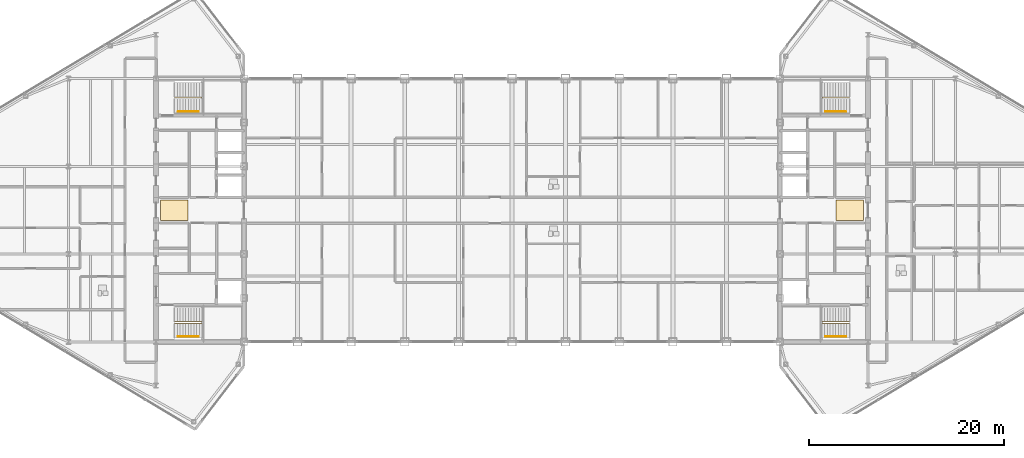
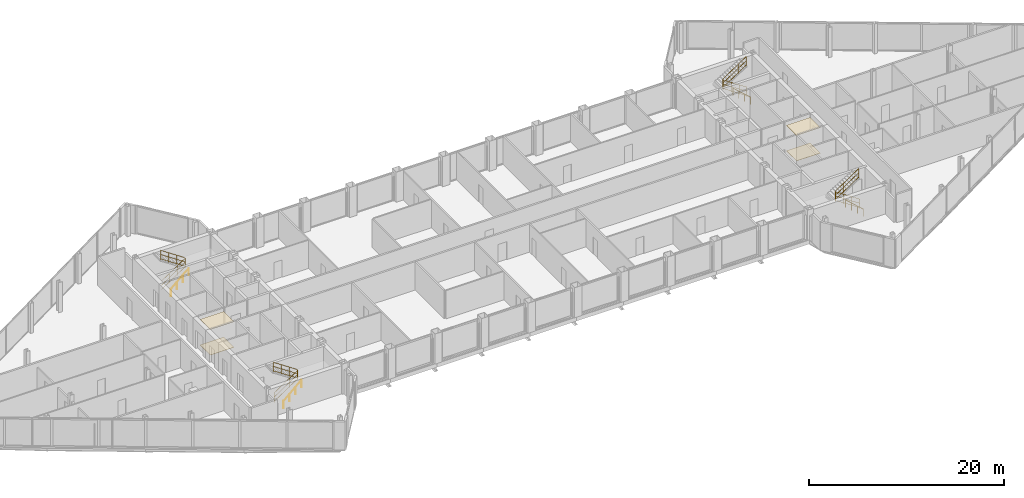
# One storey, part 28 of 29: 8 railings, 4 coverings.
"""IFC4 building model written with IfcOpenShell, lengths in metres."""

from ifc_helpers import new_model, si_unit, direction, frame, origin, origin_2d, place, context, subcontext, project, spatial, polyline, circle, outline, extrude, material, layer, layer_set, type_object, element, save


model = new_model("IFC4")

# Units and contexts
model_context = context("Model", 3, precision=1e-05, world=origin(), true_north=direction((0.0, 1.0)))
body_context = subcontext(model_context, "Body", "Model", "MODEL_VIEW")
ifc_project = project(units=[si_unit("LENGTHUNIT", "METRE"), si_unit("AREAUNIT", "SQUARE_METRE"), si_unit("VOLUMEUNIT", "CUBIC_METRE"), si_unit("PLANEANGLEUNIT", "RADIAN"), si_unit("MASSUNIT", "GRAM", prefix="KILO")], contexts=[model_context])

# Site, building, storey
site_placement = place(None, origin())
site = spatial("IfcSite", under=ifc_project, at=site_placement, CompositionType="ELEMENT")
building_placement = place(site_placement, origin())
building = spatial("IfcBuilding", under=site, at=building_placement, Name="Seokmaru Belvedere", CompositionType="ELEMENT")
storey_placement = place(building_placement, frame((0.0, 0.0, 254.39990234375)))
storey = spatial("IfcBuildingStorey", under=building, at=storey_placement, Name="L67", CompositionType="ELEMENT", Elevation=254.39990234375)

# Coverings
ifc_material_1 = material(Name="Engineered White Oak Timber", Category="wood")
ifc_layer_1 = layer(ifc_material_1, 0.02197265625)
ifc_layer_set_1 = layer_set([ifc_layer_1], Name="Engineered White Oak Timber")
covering_type_1 = type_object("IfcCoveringType", Name="Engineered Oak Residence Floor Finish 22", PredefinedType="FLOORING", material=ifc_layer_set_1)
covering_1_placement = place(storey_placement, origin())
element("IfcCovering", 1, at=covering_1_placement, inside=storey, type_object=covering_type_1, Name="L67 W Foyer Floor Finish", PredefinedType="FLOORING", context=body_context, shape_type="SweptSolid", body=[
    extrude(outline(polyline([(-36.050048828125, -1.050048828125), (-33.25, -1.050048828125), (-33.25, 1.050048828125), (-36.050048828125, 1.050048828125), (-36.050048828125, -1.050048828125)])), origin(), (0.0, 0.0, 1.0), 0.022216796875),
])
covering_2_placement = place(storey_placement, origin())
element("IfcCovering", 2, at=covering_2_placement, inside=storey, type_object=covering_type_1, Name="L67 E Foyer Floor Finish", PredefinedType="FLOORING", context=body_context, shape_type="SweptSolid", body=[
    extrude(outline(polyline([(33.25, -1.050048828125), (36.050048828125, -1.050048828125), (36.050048828125, 1.050048828125), (33.25, 1.050048828125), (33.25, -1.050048828125)])), origin(), (0.0, 0.0, 1.0), 0.022216796875),
])
ifc_material_2 = material(Name="Fire-Rated Gypsum Shaftwall")
ifc_layer_2 = layer(ifc_material_2, 0.02490234375)
ifc_layer_set_2 = layer_set([ifc_layer_2], Name="Fire-Rated Gypsum Shaftwall")
covering_type_2 = type_object("IfcCoveringType", Name="Perforated Acoustic Gypsum Suspended Ceiling 25", PredefinedType="CEILING", material=ifc_layer_set_2)
covering_3_placement = place(storey_placement, frame((0.0, 0.0, 3.18017578125)))
element("IfcCovering", 3, at=covering_3_placement, inside=storey, type_object=covering_type_2, Name="L67 W Lift Foyer Acoustic Ceiling", PredefinedType="CEILING", context=body_context, shape_type="SweptSolid", body=[
    extrude(outline(polyline([(-36.050048828125, -1.050048828125), (-33.25, -1.050048828125), (-33.25, 1.050048828125), (-36.050048828125, 1.050048828125), (-36.050048828125, -1.050048828125)])), origin(), (0.0, 0.0, 1.0), 0.02490234375),
])
covering_4_placement = place(storey_placement, frame((0.0, 0.0, 3.18017578125)))
element("IfcCovering", 4, at=covering_4_placement, inside=storey, type_object=covering_type_2, Name="L67 E Lift Foyer Acoustic Ceiling", PredefinedType="CEILING", context=body_context, shape_type="SweptSolid", body=[
    extrude(outline(polyline([(33.25, -1.050048828125), (36.050048828125, -1.050048828125), (36.050048828125, 1.050048828125), (33.25, 1.050048828125), (33.25, -1.050048828125)])), origin(), (0.0, 0.0, 1.0), 0.02490234375),
])

# Railings
ifc_material_3 = material(Name="Stainless Steel 316", Category="steel")
railing_type_1 = type_object("IfcRailingType", Name="Stainless Steel Wall and Flight Handrail 900", PredefinedType="HANDRAIL", material=ifc_material_3)
for number, where, name in (
    (5, (-34.25, -12.949951171875, 0.0), "L67 Stair ST-W1 Wall Handrail"),
    (6, (-34.25, 10.110107421875, 0.0), "L67 Stair ST-W2 Wall Handrail"),
):
    element("IfcRailing", number, at=place(storey_placement, frame(where)), inside=storey, type_object=railing_type_1, Name=name, PredefinedType="HANDRAIL", context=body_context, shape_type="SweptSolid", body=[
        extrude(circle(Radius=0.02392578125, at=origin_2d()), frame((0.0, 0.0, 0.8759765625), z_axis=(0.74595304797, 0.0, 0.665998536202), x_axis=(0.0, 1.0, 0.0)), (0.0, 0.0, 1.0), 2.8154296875),
        extrude(circle(Radius=0.02099609375, at=origin_2d()), origin(), (0.0, 0.0, 1.0), 0.851806640625),
        extrude(circle(Radius=0.02099609375, at=origin_2d()), frame((0.699951171875, 0.0, 0.625)), (0.0, 0.0, 1.0), 0.851806640625),
        extrude(circle(Radius=0.02099609375, at=origin_2d()), frame((1.400146484375, 0.0, 1.25)), (0.0, 0.0, 1.0), 0.851806640625),
        extrude(circle(Radius=0.02099609375, at=origin_2d()), frame((2.10009765625, 0.0, 1.875)), (0.0, 0.0, 1.0), 0.851806640625),
    ])
for number, where, name in (
    (7, (34.25, -12.949951171875, 0.0), "L67 Stair ST-E1 Wall Handrail"),
    (8, (34.25, 10.110107421875, 0.0), "L67 Stair ST-E2 Wall Handrail"),
):
    element("IfcRailing", number, at=place(storey_placement, frame(where)), inside=storey, type_object=railing_type_1, Name=name, PredefinedType="HANDRAIL", context=body_context, shape_type="SweptSolid", body=[
        extrude(circle(Radius=0.02392578125, at=origin_2d()), frame((0.0, 0.0, 0.8759765625), z_axis=(-0.74595304797, 0.0, 0.665998536202), x_axis=(0.0, -1.0, 0.0)), (0.0, 0.0, 1.0), 2.8154296875),
        extrude(circle(Radius=0.02099609375, at=origin_2d()), origin(), (0.0, 0.0, 1.0), 0.851806640625),
        extrude(circle(Radius=0.02099609375, at=origin_2d()), frame((-0.699951171875, 0.0, 0.625)), (0.0, 0.0, 1.0), 0.851806640625),
        extrude(circle(Radius=0.02099609375, at=origin_2d()), frame((-1.400146484375, 0.0, 1.25)), (0.0, 0.0, 1.0), 0.851806640625),
        extrude(circle(Radius=0.02099609375, at=origin_2d()), frame((-2.10009765625, 0.0, 1.875)), (0.0, 0.0, 1.0), 0.851806640625),
    ])
railing_type_2 = type_object("IfcRailingType", Name="Stair Well and Atrium Steel Guardrail 1200", PredefinedType="GUARDRAIL", material=ifc_material_3)
railing_1_placement = place(storey_placement, frame((-34.60009765625, -11.60009765625, 0.0)))
element("IfcRailing", 9, at=railing_1_placement, inside=storey, type_object=railing_type_2, Name="L67 Stair ST-W1 Inner Well Guardrail", PredefinedType="GUARDRAIL", context=body_context, shape_type="SweptSolid", body=[
    extrude(circle(Radius=0.02392578125, at=origin_2d()), frame((0.0, 0.0, 1.17578125), z_axis=(0.830911662861, 0.0, 0.55640435703), x_axis=(0.0, 1.0, 0.0)), (0.0, 0.0, 1.0), 3.369873046875),
    extrude(circle(Radius=0.02392578125, at=origin_2d()), frame((0.0, 0.0, 0.1201171875), z_axis=(0.830911662861, 0.0, 0.55640435703), x_axis=(0.0, 1.0, 0.0)), (0.0, 0.0, 1.0), 3.369873046875),
    extrude(circle(Radius=0.02392578125, at=origin_2d()), frame((0.0, 0.0, 0.659912109375), z_axis=(0.830911662861, 0.0, 0.55640435703), x_axis=(0.0, 1.0, 0.0)), (0.0, 0.0, 1.0), 3.369873046875),
    extrude(circle(Radius=0.02392578125, at=origin_2d()), frame((2.800048828125, 0.0, 3.05078125), z_axis=(0.0, 1.0, 0.0), x_axis=(-1.0, 0.0, 0.0)), (0.0, 0.0, 1.0), 0.14013671875),
    extrude(circle(Radius=0.02392578125, at=origin_2d()), frame((2.800048828125, 0.0, 1.9951171875), z_axis=(0.0, 1.0, 0.0), x_axis=(-1.0, 0.0, 0.0)), (0.0, 0.0, 1.0), 0.14013671875),
    extrude(circle(Radius=0.02392578125, at=origin_2d()), frame((2.800048828125, 0.0, 2.534912109375), z_axis=(0.0, 1.0, 0.0), x_axis=(-1.0, 0.0, 0.0)), (0.0, 0.0, 1.0), 0.14013671875),
    extrude(circle(Radius=0.02392578125, at=origin_2d()), frame((2.800048828125, 0.14013671875, 3.05078125), z_axis=(-0.830911662861, 0.0, 0.55640435703), x_axis=(0.0, -1.0, 0.0)), (0.0, 0.0, 1.0), 3.369873046875),
    extrude(circle(Radius=0.02392578125, at=origin_2d()), frame((2.800048828125, 0.14013671875, 1.9951171875), z_axis=(-0.830911662861, 0.0, 0.55640435703), x_axis=(0.0, -1.0, 0.0)), (0.0, 0.0, 1.0), 3.369873046875),
    extrude(circle(Radius=0.02392578125, at=origin_2d()), frame((2.800048828125, 0.14013671875, 2.534912109375), z_axis=(-0.830911662861, 0.0, 0.55640435703), x_axis=(0.0, -1.0, 0.0)), (0.0, 0.0, 1.0), 3.369873046875),
    extrude(circle(Radius=0.02099609375, at=origin_2d()), origin(), (0.0, 0.0, 1.0), 1.15185546875),
    extrude(circle(Radius=0.02099609375, at=origin_2d()), frame((0.933349609375, 0.0, 0.625)), (0.0, 0.0, 1.0), 1.15185546875),
    extrude(circle(Radius=0.02099609375, at=origin_2d()), frame((1.86669921875, 0.0, 1.25)), (0.0, 0.0, 1.0), 1.15185546875),
    extrude(circle(Radius=0.02099609375, at=origin_2d()), frame((2.800048828125, 0.0, 1.875)), (0.0, 0.0, 1.0), 1.15185546875),
    extrude(circle(Radius=0.02099609375, at=origin_2d()), frame((2.800048828125, 0.14013671875, 1.875)), (0.0, 0.0, 1.0), 1.15185546875),
    extrude(circle(Radius=0.02099609375, at=origin_2d()), frame((1.86669921875, 0.14013671875, 2.5)), (0.0, 0.0, 1.0), 1.15185546875),
    extrude(circle(Radius=0.02099609375, at=origin_2d()), frame((0.933349609375, 0.14013671875, 3.125)), (0.0, 0.0, 1.0), 1.15185546875),
    extrude(circle(Radius=0.02099609375, at=origin_2d()), frame((0.0, 0.14013671875, 3.75)), (0.0, 0.0, 1.0), 1.15185546875),
])
railing_2_placement = place(storey_placement, frame((-34.60009765625, 11.4599609375, 0.0)))
element("IfcRailing", 10, at=railing_2_placement, inside=storey, type_object=railing_type_2, Name="L67 Stair ST-W2 Inner Well Guardrail", PredefinedType="GUARDRAIL", context=body_context, shape_type="SweptSolid", body=[
    extrude(circle(Radius=0.02392578125, at=origin_2d()), frame((0.0, 0.0, 1.17578125), z_axis=(0.830911662861, 0.0, 0.55640435703), x_axis=(0.0, 1.0, 0.0)), (0.0, 0.0, 1.0), 3.369873046875),
    extrude(circle(Radius=0.02392578125, at=origin_2d()), frame((0.0, 0.0, 0.1201171875), z_axis=(0.830911662861, 0.0, 0.55640435703), x_axis=(0.0, 1.0, 0.0)), (0.0, 0.0, 1.0), 3.369873046875),
    extrude(circle(Radius=0.02392578125, at=origin_2d()), frame((0.0, 0.0, 0.659912109375), z_axis=(0.830911662861, 0.0, 0.55640435703), x_axis=(0.0, 1.0, 0.0)), (0.0, 0.0, 1.0), 3.369873046875),
    extrude(circle(Radius=0.02392578125, at=origin_2d()), frame((2.800048828125, 0.0, 3.05078125), z_axis=(0.0, 1.0, 0.0), x_axis=(-1.0, 0.0, 0.0)), (0.0, 0.0, 1.0), 0.14013671875),
    extrude(circle(Radius=0.02392578125, at=origin_2d()), frame((2.800048828125, 0.0, 1.9951171875), z_axis=(0.0, 1.0, 0.0), x_axis=(-1.0, 0.0, 0.0)), (0.0, 0.0, 1.0), 0.14013671875),
    extrude(circle(Radius=0.02392578125, at=origin_2d()), frame((2.800048828125, 0.0, 2.534912109375), z_axis=(0.0, 1.0, 0.0), x_axis=(-1.0, 0.0, 0.0)), (0.0, 0.0, 1.0), 0.14013671875),
    extrude(circle(Radius=0.02392578125, at=origin_2d()), frame((2.800048828125, 0.14013671875, 3.05078125), z_axis=(-0.830911662861, 0.0, 0.55640435703), x_axis=(0.0, -1.0, 0.0)), (0.0, 0.0, 1.0), 3.369873046875),
    extrude(circle(Radius=0.02392578125, at=origin_2d()), frame((2.800048828125, 0.14013671875, 1.9951171875), z_axis=(-0.830911662861, 0.0, 0.55640435703), x_axis=(0.0, -1.0, 0.0)), (0.0, 0.0, 1.0), 3.369873046875),
    extrude(circle(Radius=0.02392578125, at=origin_2d()), frame((2.800048828125, 0.14013671875, 2.534912109375), z_axis=(-0.830911662861, 0.0, 0.55640435703), x_axis=(0.0, -1.0, 0.0)), (0.0, 0.0, 1.0), 3.369873046875),
    extrude(circle(Radius=0.02099609375, at=origin_2d()), origin(), (0.0, 0.0, 1.0), 1.15185546875),
    extrude(circle(Radius=0.02099609375, at=origin_2d()), frame((0.933349609375, 0.0, 0.625)), (0.0, 0.0, 1.0), 1.15185546875),
    extrude(circle(Radius=0.02099609375, at=origin_2d()), frame((1.86669921875, 0.0, 1.25)), (0.0, 0.0, 1.0), 1.15185546875),
    extrude(circle(Radius=0.02099609375, at=origin_2d()), frame((2.800048828125, 0.0, 1.875)), (0.0, 0.0, 1.0), 1.15185546875),
    extrude(circle(Radius=0.02099609375, at=origin_2d()), frame((2.800048828125, 0.14013671875, 1.875)), (0.0, 0.0, 1.0), 1.15185546875),
    extrude(circle(Radius=0.02099609375, at=origin_2d()), frame((1.86669921875, 0.14013671875, 2.5)), (0.0, 0.0, 1.0), 1.15185546875),
    extrude(circle(Radius=0.02099609375, at=origin_2d()), frame((0.933349609375, 0.14013671875, 3.125)), (0.0, 0.0, 1.0), 1.15185546875),
    extrude(circle(Radius=0.02099609375, at=origin_2d()), frame((0.0, 0.14013671875, 3.75)), (0.0, 0.0, 1.0), 1.15185546875),
])
railing_3_placement = place(storey_placement, frame((34.60009765625, -11.60009765625, 0.0)))
element("IfcRailing", 11, at=railing_3_placement, inside=storey, type_object=railing_type_2, Name="L67 Stair ST-E1 Inner Well Guardrail", PredefinedType="GUARDRAIL", context=body_context, shape_type="SweptSolid", body=[
    extrude(circle(Radius=0.02392578125, at=origin_2d()), frame((0.0, 0.0, 1.17578125), z_axis=(-0.830911662861, 0.0, 0.55640435703), x_axis=(0.0, -1.0, 0.0)), (0.0, 0.0, 1.0), 3.369873046875),
    extrude(circle(Radius=0.02392578125, at=origin_2d()), frame((0.0, 0.0, 0.1201171875), z_axis=(-0.830911662861, 0.0, 0.55640435703), x_axis=(0.0, -1.0, 0.0)), (0.0, 0.0, 1.0), 3.369873046875),
    extrude(circle(Radius=0.02392578125, at=origin_2d()), frame((0.0, 0.0, 0.659912109375), z_axis=(-0.830911662861, 0.0, 0.55640435703), x_axis=(0.0, -1.0, 0.0)), (0.0, 0.0, 1.0), 3.369873046875),
    extrude(circle(Radius=0.02392578125, at=origin_2d()), frame((-2.800048828125, 0.0, 3.05078125), z_axis=(0.0, 1.0, 0.0), x_axis=(-1.0, 0.0, 0.0)), (0.0, 0.0, 1.0), 0.14013671875),
    extrude(circle(Radius=0.02392578125, at=origin_2d()), frame((-2.800048828125, 0.0, 1.9951171875), z_axis=(0.0, 1.0, 0.0), x_axis=(-1.0, 0.0, 0.0)), (0.0, 0.0, 1.0), 0.14013671875),
    extrude(circle(Radius=0.02392578125, at=origin_2d()), frame((-2.800048828125, 0.0, 2.534912109375), z_axis=(0.0, 1.0, 0.0), x_axis=(-1.0, 0.0, 0.0)), (0.0, 0.0, 1.0), 0.14013671875),
    extrude(circle(Radius=0.02392578125, at=origin_2d()), frame((-2.800048828125, 0.14013671875, 3.05078125), z_axis=(0.830911662861, 0.0, 0.55640435703), x_axis=(0.0, 1.0, 0.0)), (0.0, 0.0, 1.0), 3.369873046875),
    extrude(circle(Radius=0.02392578125, at=origin_2d()), frame((-2.800048828125, 0.14013671875, 1.9951171875), z_axis=(0.830911662861, 0.0, 0.55640435703), x_axis=(0.0, 1.0, 0.0)), (0.0, 0.0, 1.0), 3.369873046875),
    extrude(circle(Radius=0.02392578125, at=origin_2d()), frame((-2.800048828125, 0.14013671875, 2.534912109375), z_axis=(0.830911662861, 0.0, 0.55640435703), x_axis=(0.0, 1.0, 0.0)), (0.0, 0.0, 1.0), 3.369873046875),
    extrude(circle(Radius=0.02099609375, at=origin_2d()), origin(), (0.0, 0.0, 1.0), 1.15185546875),
    extrude(circle(Radius=0.02099609375, at=origin_2d()), frame((-0.933349609375, 0.0, 0.625)), (0.0, 0.0, 1.0), 1.15185546875),
    extrude(circle(Radius=0.02099609375, at=origin_2d()), frame((-1.86669921875, 0.0, 1.25)), (0.0, 0.0, 1.0), 1.15185546875),
    extrude(circle(Radius=0.02099609375, at=origin_2d()), frame((-2.800048828125, 0.0, 1.875)), (0.0, 0.0, 1.0), 1.15185546875),
    extrude(circle(Radius=0.02099609375, at=origin_2d()), frame((-2.800048828125, 0.14013671875, 1.875)), (0.0, 0.0, 1.0), 1.15185546875),
    extrude(circle(Radius=0.02099609375, at=origin_2d()), frame((-1.86669921875, 0.14013671875, 2.5)), (0.0, 0.0, 1.0), 1.15185546875),
    extrude(circle(Radius=0.02099609375, at=origin_2d()), frame((-0.933349609375, 0.14013671875, 3.125)), (0.0, 0.0, 1.0), 1.15185546875),
    extrude(circle(Radius=0.02099609375, at=origin_2d()), frame((0.0, 0.14013671875, 3.75)), (0.0, 0.0, 1.0), 1.15185546875),
])
railing_4_placement = place(storey_placement, frame((34.60009765625, 11.4599609375, 0.0)))
element("IfcRailing", 12, at=railing_4_placement, inside=storey, type_object=railing_type_2, Name="L67 Stair ST-E2 Inner Well Guardrail", PredefinedType="GUARDRAIL", context=body_context, shape_type="SweptSolid", body=[
    extrude(circle(Radius=0.02392578125, at=origin_2d()), frame((0.0, 0.0, 1.17578125), z_axis=(-0.830911662861, 0.0, 0.55640435703), x_axis=(0.0, -1.0, 0.0)), (0.0, 0.0, 1.0), 3.369873046875),
    extrude(circle(Radius=0.02392578125, at=origin_2d()), frame((0.0, 0.0, 0.1201171875), z_axis=(-0.830911662861, 0.0, 0.55640435703), x_axis=(0.0, -1.0, 0.0)), (0.0, 0.0, 1.0), 3.369873046875),
    extrude(circle(Radius=0.02392578125, at=origin_2d()), frame((0.0, 0.0, 0.659912109375), z_axis=(-0.830911662861, 0.0, 0.55640435703), x_axis=(0.0, -1.0, 0.0)), (0.0, 0.0, 1.0), 3.369873046875),
    extrude(circle(Radius=0.02392578125, at=origin_2d()), frame((-2.800048828125, 0.0, 3.05078125), z_axis=(0.0, 1.0, 0.0), x_axis=(-1.0, 0.0, 0.0)), (0.0, 0.0, 1.0), 0.14013671875),
    extrude(circle(Radius=0.02392578125, at=origin_2d()), frame((-2.800048828125, 0.0, 1.9951171875), z_axis=(0.0, 1.0, 0.0), x_axis=(-1.0, 0.0, 0.0)), (0.0, 0.0, 1.0), 0.14013671875),
    extrude(circle(Radius=0.02392578125, at=origin_2d()), frame((-2.800048828125, 0.0, 2.534912109375), z_axis=(0.0, 1.0, 0.0), x_axis=(-1.0, 0.0, 0.0)), (0.0, 0.0, 1.0), 0.14013671875),
    extrude(circle(Radius=0.02392578125, at=origin_2d()), frame((-2.800048828125, 0.14013671875, 3.05078125), z_axis=(0.830911662861, 0.0, 0.55640435703), x_axis=(0.0, 1.0, 0.0)), (0.0, 0.0, 1.0), 3.369873046875),
    extrude(circle(Radius=0.02392578125, at=origin_2d()), frame((-2.800048828125, 0.14013671875, 1.9951171875), z_axis=(0.830911662861, 0.0, 0.55640435703), x_axis=(0.0, 1.0, 0.0)), (0.0, 0.0, 1.0), 3.369873046875),
    extrude(circle(Radius=0.02392578125, at=origin_2d()), frame((-2.800048828125, 0.14013671875, 2.534912109375), z_axis=(0.830911662861, 0.0, 0.55640435703), x_axis=(0.0, 1.0, 0.0)), (0.0, 0.0, 1.0), 3.369873046875),
    extrude(circle(Radius=0.02099609375, at=origin_2d()), origin(), (0.0, 0.0, 1.0), 1.15185546875),
    extrude(circle(Radius=0.02099609375, at=origin_2d()), frame((-0.933349609375, 0.0, 0.625)), (0.0, 0.0, 1.0), 1.15185546875),
    extrude(circle(Radius=0.02099609375, at=origin_2d()), frame((-1.86669921875, 0.0, 1.25)), (0.0, 0.0, 1.0), 1.15185546875),
    extrude(circle(Radius=0.02099609375, at=origin_2d()), frame((-2.800048828125, 0.0, 1.875)), (0.0, 0.0, 1.0), 1.15185546875),
    extrude(circle(Radius=0.02099609375, at=origin_2d()), frame((-2.800048828125, 0.14013671875, 1.875)), (0.0, 0.0, 1.0), 1.15185546875),
    extrude(circle(Radius=0.02099609375, at=origin_2d()), frame((-1.86669921875, 0.14013671875, 2.5)), (0.0, 0.0, 1.0), 1.15185546875),
    extrude(circle(Radius=0.02099609375, at=origin_2d()), frame((-0.933349609375, 0.14013671875, 3.125)), (0.0, 0.0, 1.0), 1.15185546875),
    extrude(circle(Radius=0.02099609375, at=origin_2d()), frame((0.0, 0.14013671875, 3.75)), (0.0, 0.0, 1.0), 1.15185546875),
])

save(model, "model.ifc")
